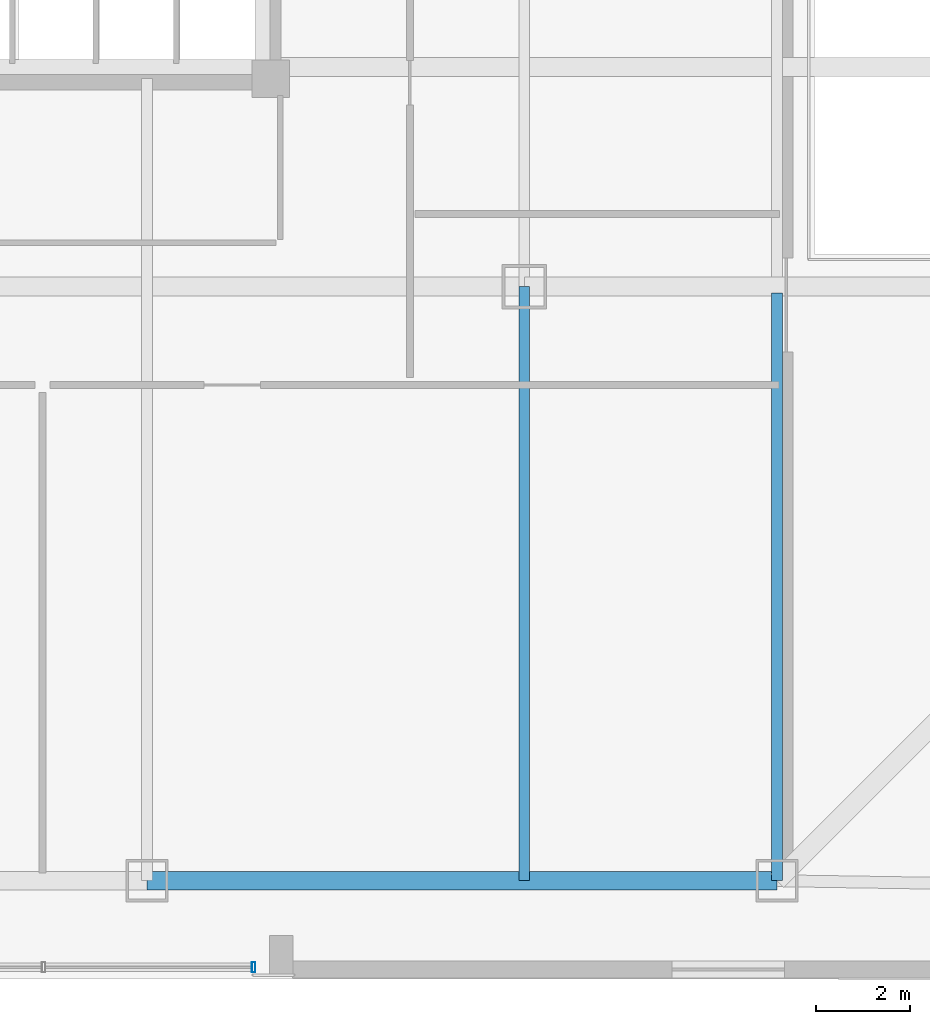
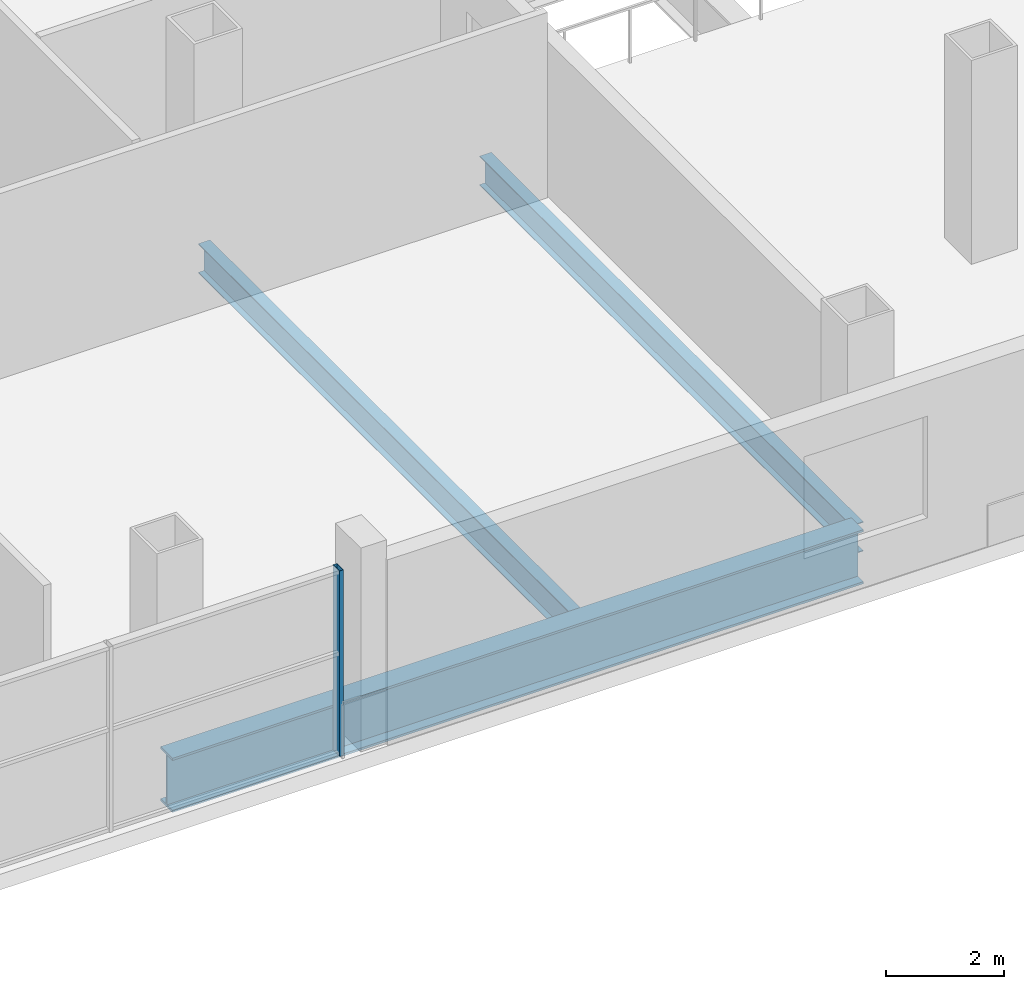
# One storey, part 6 of 21: 3 beams, 1 member, 1 element without a shape of its own.
"""IFC4 building model written with IfcOpenShell, lengths in metres."""

from ifc_helpers import new_model, si_unit, direction, frame, origin, origin_2d, place, context, subcontext, project, spatial, hollow_rectangle, i_section, extrude, material, layer, layer_set, material_profile, profile_set, type_object, element, aggregate, save


model = new_model("IFC4")

# Units and contexts
model_context = context("Model", 3, precision=1e-05, world=origin(), true_north=direction((0.0, 1.0)))
body_context = subcontext(model_context, "Body", "Model", "MODEL_VIEW")
ifc_project = project(units=[si_unit("LENGTHUNIT", "METRE"), si_unit("AREAUNIT", "SQUARE_METRE"), si_unit("VOLUMEUNIT", "CUBIC_METRE"), si_unit("PLANEANGLEUNIT", "RADIAN"), si_unit("MASSUNIT", "GRAM", prefix="KILO")], contexts=[model_context])

# Site, building, storey
site_placement = place(None, origin())
site = spatial("IfcSite", under=ifc_project, at=site_placement, CompositionType="ELEMENT")
building_placement = place(site_placement, origin())
building = spatial("IfcBuilding", under=site, at=building_placement, Name="Qhalaya Broadcast Tower", CompositionType="ELEMENT")
storey_placement = place(building_placement, frame((0.0, 0.0, 17.699951171875)))
storey = spatial("IfcBuildingStorey", under=building, at=storey_placement, Name="L04", CompositionType="ELEMENT", Elevation=17.699951171875)

# Beams
ifc_material_1 = material(Name="Structural Steel ASTM A992 Grade 50", Category="steel")
ifc_material_profile_1 = material_profile(ifc_material_1, i_section(OverallWidth=0.22802734375, OverallDepth=0.60693359375, WebThickness=0.01123046875, FlangeThickness=0.017333984375, at=origin_2d()), Name="W24X76")
ifc_profile_set_1 = profile_set([ifc_material_profile_1], Name="Structural Steel ASTM A992 Grade 50")
beam_type_1 = type_object("IfcBeamType", Name="Composite Floor Joist J01", PredefinedType="JOIST", material=ifc_profile_set_1)
beam_1_placement = place(storey_placement, frame((14.800048828125, -25.89990234375, -0.62353515625), z_axis=(0.0, 1.0, 0.0), x_axis=(-1.0, 0.0, 0.0)))
element("IfcBeam", 1, at=beam_1_placement, inside=storey, type_object=beam_type_1, Name="L04 J01 L04-JS-S+14.8", PredefinedType="JOIST", context=body_context, shape_type="SweptSolid", body=[
    extrude(i_section(OverallWidth=0.22802734375, OverallDepth=0.60693359375, WebThickness=0.01123046875, FlangeThickness=0.017333984375, at=origin_2d()), origin(), (0.0, 0.0, 1.0), 12.699951171875),
])
beam_2_placement = place(storey_placement, frame((20.199951171875, -25.89990234375, -0.62353515625), z_axis=(0.0, 1.0, 0.0), x_axis=(-1.0, 0.0, 0.0)))
element("IfcBeam", 2, at=beam_2_placement, inside=storey, type_object=beam_type_1, Name="L04 J01 L04-JS-S+20.2", PredefinedType="JOIST", context=body_context, shape_type="SweptSolid", body=[
    extrude(i_section(OverallWidth=0.22802734375, OverallDepth=0.60693359375, WebThickness=0.01123046875, FlangeThickness=0.017333984375, at=origin_2d()), origin(), (0.0, 0.0, 1.0), 12.559814453125),
])
ifc_material_profile_2 = material_profile(ifc_material_1, i_section(OverallWidth=0.404052734375, OverallDepth=1.117919921875, WebThickness=0.026123046875, FlangeThickness=0.044921875, at=origin_2d()), Name="W44X335")
ifc_profile_set_2 = profile_set([ifc_material_profile_2], Name="Structural Steel ASTM A992 Grade 50")
beam_type_2 = type_object("IfcBeamType", Name="Podium Long-Span Primary Girder PG1", PredefinedType="USERDEFINED", material=ifc_profile_set_2)
beam_3_placement = place(storey_placement, frame((6.7333984375, -25.89990234375, -0.87890625), z_axis=(1.0, 0.0, 0.0), x_axis=(0.0, 1.0, 0.0)))
element("IfcBeam", 3, at=beam_3_placement, inside=storey, type_object=beam_type_2, Name="L04 PG1 L04-PG-R03", ObjectType="GIRDER", PredefinedType="USERDEFINED", context=body_context, shape_type="SweptSolid", body=[
    extrude(i_section(OverallWidth=0.404052734375, OverallDepth=1.117919921875, WebThickness=0.026123046875, FlangeThickness=0.044921875, at=origin_2d()), origin(), (0.0, 0.0, 1.0), 13.466552734375),
])

# Curtain wall, member
ifc_material_2 = material(Name="Solar-Control Low-E Triple Glazing", Category="glass")
ifc_layer = layer(ifc_material_2, 0.219970703125, Name="Solar-Control Low-E Triple Glazing")
ifc_layer_set = layer_set([ifc_layer], Name="Solar-Control Low-E Triple Glazing")
curtain_wall_type = type_object("IfcCurtainWallType", Name="Podium Concourse Triple-Height Glazed Portal CW-01", PredefinedType="NOTDEFINED", material=ifc_layer_set)
curtain_wall_placement = place(storey_placement, origin())
curtain_wall = element("IfcCurtainWall", 4, at=curtain_wall_placement, inside=storey, type_object=curtain_wall_type, Name="L04 Unitised Curtain Wall L04-CW01-S", PredefinedType="NOTDEFINED")
ifc_material_3 = material(Name="Anodised Aluminium 6063-T6", Category="aluminium")
ifc_material_profile_3 = material_profile(ifc_material_3, hollow_rectangle(XDim=0.074951171875, YDim=0.219970703125, WallThickness=0.00390625, at=origin_2d()), Name="ALU-MUL 75x220x4")
ifc_profile_set_3 = profile_set([ifc_material_profile_3], Name="Anodised Aluminium 6063-T6")
member_type = type_object("IfcMemberType", Name="Unitised Curtain-Wall Mullion M01", PredefinedType="MULLION", material=ifc_profile_set_3)
member_placement = place(storey_placement, frame((9.012451171875, -27.75, 0.0), z_axis=(0.0, 0.0, 1.0), x_axis=(1.0, 0.0, 0.0)))
member = element("IfcMember", 5, at=member_placement, type_object=member_type, Name="CW-01 mullion 5", PredefinedType="MULLION", context=body_context, shape_type="SweptSolid", body=[
    extrude(hollow_rectangle(XDim=0.074951171875, YDim=0.219970703125, WallThickness=0.00390625, at=origin_2d()), origin(), (0.0, 0.0, 1.0), 3.820068359375),
])
aggregate(curtain_wall, [member])

save(model, "model.ifc")
